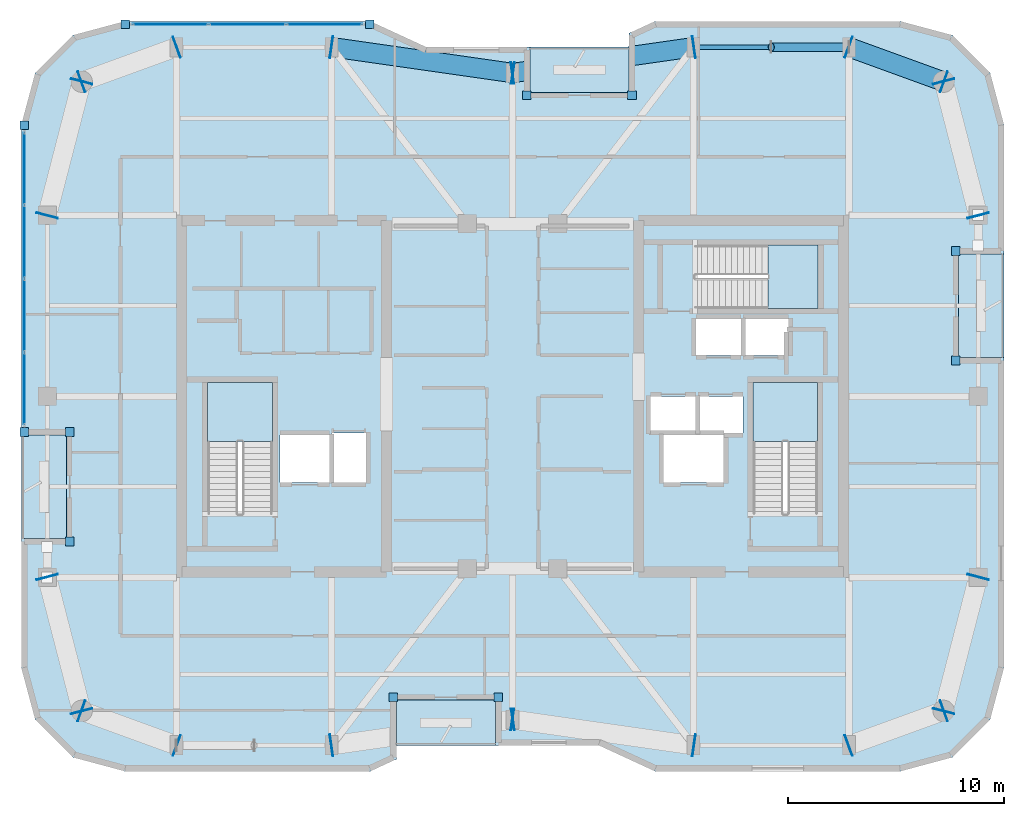
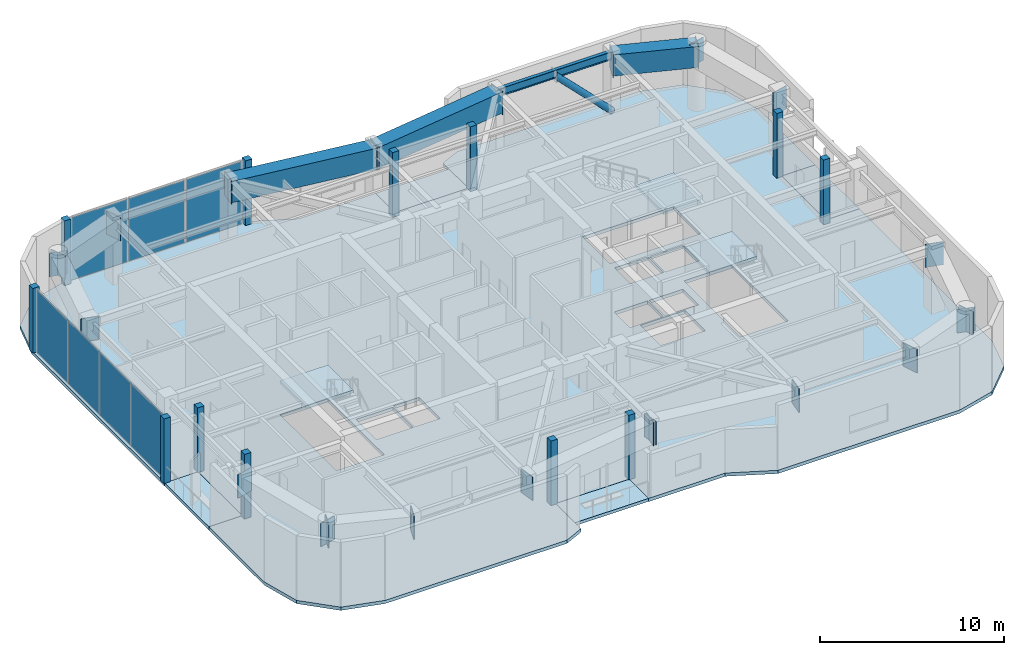
# One storey, part 7 of 15: 43 plates, 8 slabs, 4 beams, 1 member, 5 elements without a shape of their own.
"""IFC4 building model written with IfcOpenShell, lengths in metres."""

from ifc_helpers import new_model, si_unit, direction, frame, origin, origin_2d, place, context, subcontext, project, spatial, polyline, rectangle, hollow_rectangle, hollow_circle, i_section, outline, extrude, material, layer, layer_set, material_profile, profile_set, type_object, element, aggregate, save


model = new_model("IFC4")

# Units and contexts
model_context = context("Model", 3, precision=1e-05, world=origin(), true_north=direction((0.0, 1.0)))
body_context = subcontext(model_context, "Body", "Model", "MODEL_VIEW")
ifc_project = project(units=[si_unit("LENGTHUNIT", "METRE"), si_unit("AREAUNIT", "SQUARE_METRE"), si_unit("VOLUMEUNIT", "CUBIC_METRE"), si_unit("PLANEANGLEUNIT", "RADIAN"), si_unit("MASSUNIT", "GRAM", prefix="KILO")], contexts=[model_context])

# Site, building, storey
site_placement = place(None, origin())
site = spatial("IfcSite", under=ifc_project, at=site_placement, CompositionType="ELEMENT")
building_placement = place(site_placement, origin())
building = spatial("IfcBuilding", under=site, at=building_placement, Name="Kiyonajd Concourse Tower", CompositionType="ELEMENT")
storey_placement = place(building_placement, frame((0.0, 0.0, 342.0)))
storey = spatial("IfcBuildingStorey", under=building, at=storey_placement, Name="L86", CompositionType="ELEMENT", Elevation=342.0)

# Beams
ifc_material_1 = material(Name="Steel ASTM A992 Grade 50", Category="steel")
ifc_material_profile_1 = material_profile(ifc_material_1, i_section(OverallWidth=0.2109375, OverallDepth=0.5390625, WebThickness=0.01171875, FlangeThickness=0.018798828125, at=origin_2d()), Name="W530X109")
ifc_profile_set_1 = profile_set([ifc_material_profile_1], Name="Steel ASTM A992 Grade 50")
beam_type_1 = type_object("IfcBeamType", Name="BM-SPAN-530B", PredefinedType="SPANDREL", material=ifc_profile_set_1)
beam_1_placement = place(storey_placement, frame((63.60009765625, 52.199951171875, 4.010498046875), z_axis=(-1.0, 0.0, 0.0), x_axis=(0.0, -1.0, 0.0)))
element("IfcBeam", 1, at=beam_1_placement, inside=storey, type_object=beam_type_1, Name="L86 Perimeter Bundled Tube Spandrel", PredefinedType="SPANDREL", context=body_context, shape_type="SweptSolid", body=[
    extrude(i_section(OverallWidth=0.2109375, OverallDepth=0.5390625, WebThickness=0.01171875, FlangeThickness=0.018798828125, at=origin_2d()), origin(), (0.0, 0.0, 1.0), 7.2001953125),
])
ifc_material_2 = material(Name="Steel ASTM A572 Grade 50", Category="steel")
ifc_material_profile_2 = material_profile(ifc_material_2, hollow_rectangle(XDim=0.89990234375, YDim=1.39990234375, WallThickness=0.070068359375, at=origin_2d()), Name="BOX-1400x900x70")
ifc_profile_set_2 = profile_set([ifc_material_profile_2], Name="Steel ASTM A572 Grade 50")
beam_type_2 = type_object("IfcBeamType", Name="BM-XFER-1400", PredefinedType="BEAM", material=ifc_profile_set_2)
beam_2_placement = place(storey_placement, frame((68.0, 50.60009765625, 3.580078125), z_axis=(-0.939801036019, 0.341722127901, 0.0), x_axis=(-0.341722127901, -0.939801036019, 0.0)))
element("IfcBeam", 2, at=beam_2_placement, inside=storey, type_object=beam_type_2, Name="L86 Perimeter Bundled Tube Spandrel", PredefinedType="BEAM", context=body_context, shape_type="SweptSolid", body=[
    extrude(hollow_rectangle(XDim=0.89990234375, YDim=1.39990234375, WallThickness=0.070068359375, at=origin_2d()), origin(), (0.0, 0.0, 1.0), 4.681640625),
])
for number, where, z_axis, x_axis, name in (
    (3, (56.39990234375, 52.199951171875, 3.580078125), (-0.989950069105, -0.141417328072, 0.0), (0.141417328072, -0.989950069105, 0.0), "L86 Perimeter Bundled Tube Spandrel"),
    (4, (48.0, 51.0, 3.580078125), (-0.989950069105, 0.141417328072, 0.0), (-0.141417328072, -0.989950069105, 0.0), "L86 Perimeter Bundled Tube Spandrel"),
):
    element("IfcBeam", number, at=place(storey_placement, frame(where, z_axis=z_axis, x_axis=x_axis)), inside=storey, type_object=beam_type_2, Name=name, PredefinedType="BEAM", context=body_context, shape_type="SweptSolid", body=[
        extrude(hollow_rectangle(XDim=0.89990234375, YDim=1.39990234375, WallThickness=0.070068359375, at=origin_2d()), origin(), (0.0, 0.0, 1.0), 8.485107421875),
    ])

# Member
ifc_material_3 = material(Name="Steel ASTM A500 Grade C", Category="steel")
ifc_material_profile_3 = material_profile(ifc_material_3, hollow_circle(Radius=0.202880859375, WallThickness=0.01904296875, at=origin_2d()), Name="CHS-406x19")
ifc_profile_set_3 = profile_set([ifc_material_profile_3], Name="Steel ASTM A500 Grade C")
member_type = type_object("IfcMemberType", Name="MB-PB-HIGH", PredefinedType="BRACE", material=ifc_profile_set_3)
member_placement = place(storey_placement, frame((63.60009765625, 52.199951171875, 0.300048828125), z_axis=(-0.704187756773, 0.0, 0.710013804944), x_axis=(0.0, -1.0, 0.0)))
element("IfcMember", 5, at=member_placement, inside=storey, type_object=member_type, Name="L86 Upper Zone Hollow Tube Brace PBN", PredefinedType="BRACE", context=body_context, shape_type="SweptSolid", body=[
    extrude(hollow_circle(Radius=0.202880859375, WallThickness=0.01904296875, at=origin_2d()), origin(), (0.0, 0.0, 1.0), 5.1123046875),
])

# Plates
ifc_layer_1 = layer(ifc_material_2, 0.031982421875)
ifc_layer_set_1 = layer_set([ifc_layer_1], Name="Steel ASTM A572 Grade 50")
plate_type_1 = type_object("IfcPlateType", Name="PL-CAP-540", PredefinedType="USERDEFINED", material=ifc_layer_set_1)
for number, where, z_axis, x_axis, name in (
    (6, (26.397216796875, 27.610595703125, 2.81005859375), (0.0, 0.0, 1.0), (-0.249873048837, 0.968278606324, 0.0), "L86 Welded Box Girder End Cap"),
    (7, (28.002685546875, 21.389404296875, 2.81005859375), (0.0, 0.0, 1.0), (0.249873048837, -0.968278606324, 0.0), "L86 Welded Box Girder End Cap"),
    (8, (27.98974609375, 21.40380859375, 2.81005859375), (0.0, 0.0, 1.0), (-0.939811951086, 0.341692107891, 0.0), "L86 Welded Box Girder End Cap"),
    (9, (32.410400390625, 19.796142578125, 2.81005859375), (0.0, 0.0, 1.0), (0.939811951086, -0.341692107891, 0.0), "L86 Welded Box Girder End Cap"),
    (10, (39.589111328125, 19.79833984375, 2.81005859375), (0.0, 0.0, 1.0), (-0.989949746297, -0.141419587774, 0.0), "L86 Welded Box Girder End Cap"),
    (11, (48.010986328125, 21.001708984375, 2.81005859375), (0.0, 0.0, 1.0), (0.989949746297, 0.141419587774, 0.0), "L86 Welded Box Girder End Cap"),
    (12, (47.989013671875, 21.001708984375, 2.81005859375), (0.0, 0.0, 1.0), (-0.989949746297, 0.141419587774, 0.0), "L86 Welded Box Girder End Cap"),
    (13, (56.410888671875, 19.79833984375, 2.81005859375), (0.0, 0.0, 1.0), (0.989949746297, -0.141419587774, 0.0), "L86 Welded Box Girder End Cap"),
    (14, (63.589599609375, 19.796142578125, 2.81005859375), (0.0, 0.0, 1.0), (-0.939811951086, -0.341692107891, 0.0), "L86 Welded Box Girder End Cap"),
    (15, (68.01025390625, 21.40380859375, 2.81005859375), (0.0, 0.0, 1.0), (0.939811951086, 0.341692107891, 0.0), "L86 Welded Box Girder End Cap"),
    (16, (67.997314453125, 21.389404296875, 2.81005859375), (0.0, 0.0, 1.0), (-0.249873048837, -0.968278606324, 0.0), "L86 Welded Box Girder End Cap"),
    (17, (69.602783203125, 27.610595703125, 2.81005859375), (0.0, 0.0, 1.0), (0.249873048837, 0.968278606324, 0.0), "L86 Welded Box Girder End Cap"),
    (18, (69.602783203125, 44.389404296875, 2.81005859375), (0.0, 0.0, 1.0), (0.249873048837, -0.968278606324, 0.0), "L86 Welded Box Girder End Cap"),
    (19, (67.997314453125, 50.610595703125, 2.81005859375), (0.0, 0.0, 1.0), (-0.249873048837, 0.968278606324, 0.0), "L86 Welded Box Girder End Cap"),
    (20, (68.01025390625, 50.59619140625, 2.81005859375), (0.0, 0.0, 1.0), (0.939811951086, -0.341692107891, 0.0), "L86 Welded Box Girder End Cap"),
    (21, (63.589599609375, 52.203857421875, 2.81005859375), (0.0, 0.0, 1.0), (-0.939811951086, 0.341692107891, 0.0), "L86 Welded Box Girder End Cap"),
    (22, (56.410888671875, 52.20166015625, 2.81005859375), (0.0, 0.0, 1.0), (0.989949746297, 0.141419587774, 0.0), "L86 Welded Box Girder End Cap"),
    (23, (47.989013671875, 50.998291015625, 2.81005859375), (0.0, 0.0, 1.0), (-0.989949746297, -0.141419587774, 0.0), "L86 Welded Box Girder End Cap"),
    (24, (48.010986328125, 50.998291015625, 2.81005859375), (0.0, 0.0, 1.0), (0.989949746297, -0.141419587774, 0.0), "L86 Welded Box Girder End Cap"),
    (25, (39.589111328125, 52.20166015625, 2.81005859375), (0.0, 0.0, 1.0), (-0.989949746297, 0.141419587774, 0.0), "L86 Welded Box Girder End Cap"),
    (26, (32.410400390625, 52.203857421875, 2.81005859375), (0.0, 0.0, 1.0), (0.939811951086, 0.341692107891, 0.0), "L86 Welded Box Girder End Cap"),
    (27, (27.98974609375, 50.59619140625, 2.81005859375), (0.0, 0.0, 1.0), (-0.939811951086, -0.341692107891, 0.0), "L86 Welded Box Girder End Cap"),
    (28, (28.002685546875, 50.610595703125, 2.81005859375), (0.0, 0.0, 1.0), (0.249873048837, 0.968278606324, 0.0), "L86 Welded Box Girder End Cap"),
    (29, (26.397216796875, 44.389404296875, 2.81005859375), (0.0, 0.0, 1.0), (-0.249873048837, -0.968278606324, 0.0), "L86 Welded Box Girder End Cap"),
):
    element("IfcPlate", number, at=place(storey_placement, frame(where, z_axis=z_axis, x_axis=x_axis)), inside=storey, type_object=plate_type_1, Name=name, ObjectType="CAP PLATE", PredefinedType="USERDEFINED", context=body_context, shape_type="SweptSolid", body=[
        extrude(rectangle(XDim=0.035888671875, YDim=1.02001953125, at=origin_2d()), origin(), (0.0, 0.0, 1.0), 1.5400390625),
    ])

# Curtain wall, plates
ifc_material_4 = material(Name="Thermally Broken Anodised Aluminium", Category="aluminium")
ifc_layer_2 = layer(ifc_material_4, 0.179931640625)
ifc_layer_set_2 = layer_set([ifc_layer_2], Name="Thermally Broken Anodised Aluminium")
curtain_wall_type = type_object("IfcCurtainWallType", Name="CW-SYS-04", PredefinedType="NOTDEFINED", material=ifc_layer_set_2)
curtain_wall_1_placement = place(storey_placement, origin())
curtain_wall_1 = element("IfcCurtainWall", 30, at=curtain_wall_1_placement, inside=storey, type_object=curtain_wall_type, Name="L86 Unitised Curtain Wall CW4", PredefinedType="NOTDEFINED")
ifc_material_5 = material(Name="Double Low-E Insulated Glass", Category="glass")
ifc_layer_3 = layer(ifc_material_5, 0.033935546875)
ifc_layer_set_3 = layer_set([ifc_layer_3], Name="Double Low-E Insulated Glass")
plate_type_2 = type_object("IfcPlateType", Name="PL-CW-VIS34", PredefinedType="CURTAIN_PANEL", material=ifc_layer_set_3)
plate_1_placement = place(storey_placement, frame((25.340087890625, 36.35400390625, 0.06494140625), z_axis=(0.0, 0.0, 1.0), x_axis=(0.0, 1.0, 0.0)))
plate_1 = element("IfcPlate", 31, at=plate_1_placement, type_object=plate_type_2, Name="CW4 panel 1.1", PredefinedType="CURTAIN_PANEL", context=body_context, shape_type="SweptSolid", body=[
    extrude(rectangle(XDim=3.31787109375, YDim=0.033935546875, at=origin_2d()), origin(), (0.0, 0.0, 1.0), 4.14990234375),
])
plate_2_placement = place(storey_placement, frame((25.340087890625, 39.753173828125, 0.06494140625), z_axis=(0.0, 0.0, 1.0), x_axis=(0.0, 1.0, 0.0)))
plate_2 = element("IfcPlate", 32, at=plate_2_placement, type_object=plate_type_2, Name="CW4 panel 2.1", PredefinedType="CURTAIN_PANEL", context=body_context, shape_type="SweptSolid", body=[
    extrude(rectangle(XDim=3.350341796875, YDim=0.033935546875, at=origin_2d()), origin(), (0.0, 0.0, 1.0), 4.14990234375),
])
plate_3_placement = place(storey_placement, frame((25.340087890625, 43.16845703125, 0.06494140625), z_axis=(0.0, 0.0, 1.0), x_axis=(0.0, 1.0, 0.0)))
plate_3 = element("IfcPlate", 33, at=plate_3_placement, type_object=plate_type_2, Name="CW4 panel 3.1", PredefinedType="CURTAIN_PANEL", context=body_context, shape_type="SweptSolid", body=[
    extrude(rectangle(XDim=3.350341796875, YDim=0.033935546875, at=origin_2d()), origin(), (0.0, 0.0, 1.0), 4.14990234375),
])
plate_4_placement = place(storey_placement, frame((25.340087890625, 46.567626953125, 0.06494140625), z_axis=(0.0, 0.0, 1.0), x_axis=(0.0, 1.0, 0.0)))
plate_4 = element("IfcPlate", 34, at=plate_4_placement, type_object=plate_type_2, Name="CW4 panel 4.1", PredefinedType="CURTAIN_PANEL", context=body_context, shape_type="SweptSolid", body=[
    extrude(rectangle(XDim=3.31787109375, YDim=0.033935546875, at=origin_2d()), origin(), (0.0, 0.0, 1.0), 4.14990234375),
])
aggregate(curtain_wall_1, [plate_1, plate_2, plate_3, plate_4])

curtain_wall_2_placement = place(storey_placement, origin())
curtain_wall_2 = element("IfcCurtainWall", 35, at=curtain_wall_2_placement, inside=storey, type_object=curtain_wall_type, Name="L86 Unitised Curtain Wall CW4", PredefinedType="NOTDEFINED")
plate_5_placement = place(storey_placement, frame((32.119873046875, 53.260009765625, 0.06494140625), z_axis=(0.0, 0.0, 1.0), x_axis=(1.0, 0.0, 0.0)))
plate_5 = element("IfcPlate", 36, at=plate_5_placement, type_object=plate_type_2, Name="CW4 panel 1.1", PredefinedType="CURTAIN_PANEL", context=body_context, shape_type="SweptSolid", body=[
    extrude(rectangle(XDim=3.492919921875, YDim=0.033935546875, at=origin_2d()), origin(), (0.0, 0.0, 1.0), 4.14990234375),
])
plate_6_placement = place(storey_placement, frame((35.69384765625, 53.260009765625, 0.06494140625), z_axis=(0.0, 0.0, 1.0), x_axis=(1.0, 0.0, 0.0)))
plate_6 = element("IfcPlate", 37, at=plate_6_placement, type_object=plate_type_2, Name="CW4 panel 2.1", PredefinedType="CURTAIN_PANEL", context=body_context, shape_type="SweptSolid", body=[
    extrude(rectangle(XDim=3.525390625, YDim=0.033935546875, at=origin_2d()), origin(), (0.0, 0.0, 1.0), 4.14990234375),
])
plate_7_placement = place(storey_placement, frame((39.267822265625, 53.260009765625, 0.06494140625), z_axis=(0.0, 0.0, 1.0), x_axis=(1.0, 0.0, 0.0)))
plate_7 = element("IfcPlate", 38, at=plate_7_placement, type_object=plate_type_2, Name="CW4 panel 3.1", PredefinedType="CURTAIN_PANEL", context=body_context, shape_type="SweptSolid", body=[
    extrude(rectangle(XDim=3.492919921875, YDim=0.033935546875, at=origin_2d()), origin(), (0.0, 0.0, 1.0), 4.14990234375),
])
aggregate(curtain_wall_2, [plate_5, plate_6, plate_7])

# Plates
ifc_layer_4 = layer(ifc_material_4, 0.39990234375)
ifc_layer_set_4 = layer_set([ifc_layer_4], Name="Thermally Broken Anodised Aluminium")
plate_type_3 = type_object("IfcPlateType", Name="PL-JMB-400", PredefinedType="USERDEFINED", material=ifc_layer_set_4)
for number, where, z_axis, x_axis, name in (
    (39, (27.43994140625, 29.260009765625, 0.0), (0.0, 0.0, 1.0), (1.0, 0.0, 0.0), "L86 Facade Jamb Closure Plate 01"),
    (40, (27.43994140625, 34.340087890625, 0.0), (0.0, 0.0, 1.0), (1.0, 0.0, 0.0), "L86 Facade Jamb Closure Plate 02"),
    (41, (25.340087890625, 34.340087890625, 0.0), (0.0, 0.0, 1.0), (1.0, 0.0, 0.0), "L86 Facade Jamb Closure Plate 03"),
    (42, (25.340087890625, 48.58154296875, 0.0), (0.0, 0.0, 1.0), (1.0, 0.0, 0.0), "L86 Facade Jamb Closure Plate 04"),
    (43, (30.018310546875, 53.260009765625, 0.0), (0.0, 0.0, 1.0), (1.0, 0.0, 0.0), "L86 Facade Jamb Closure Plate 05"),
    (44, (41.369384765625, 53.260009765625, 0.0), (0.0, 0.0, 1.0), (1.0, 0.0, 0.0), "L86 Facade Jamb Closure Plate 06"),
    (45, (48.659912109375, 49.9599609375, 0.0), (0.0, 0.0, 1.0), (1.0, 0.0, 0.0), "L86 Facade Jamb Closure Plate 07"),
    (46, (53.5400390625, 49.9599609375, 0.0), (0.0, 0.0, 1.0), (1.0, 0.0, 0.0), "L86 Facade Jamb Closure Plate 08"),
    (47, (68.56005859375, 42.739990234375, 0.0), (0.0, 0.0, 1.0), (1.0, 0.0, 0.0), "L86 Facade Jamb Closure Plate 09"),
    (48, (68.56005859375, 37.659912109375, 0.0), (0.0, 0.0, 1.0), (1.0, 0.0, 0.0), "L86 Facade Jamb Closure Plate 10"),
    (49, (47.340087890625, 22.0400390625, 0.0), (0.0, 0.0, 1.0), (1.0, 0.0, 0.0), "L86 Facade Jamb Closure Plate 11"),
    (50, (42.4599609375, 22.0400390625, 0.0), (0.0, 0.0, 1.0), (1.0, 0.0, 0.0), "L86 Facade Jamb Closure Plate 12"),
):
    element("IfcPlate", number, at=place(storey_placement, frame(where, z_axis=z_axis, x_axis=x_axis)), inside=storey, type_object=plate_type_3, Name=name, ObjectType="JAMB PLATE", PredefinedType="USERDEFINED", context=body_context, shape_type="SweptSolid", body=[
        extrude(rectangle(XDim=0.39990234375, YDim=0.39990234375, at=origin_2d()), origin(), (0.0, 0.0, 1.0), 4.280029296875),
    ])

# Stair, slab
ifc_material_6 = material(Name="Concrete C40/50", Category="concrete")
stair_type = type_object("IfcStairType", Name="ST-DLG-26R", PredefinedType="HALF_TURN_STAIR", material=ifc_material_6)
stair_1_placement = place(storey_placement, origin())
stair_1 = element("IfcStair", 51, at=stair_1_placement, inside=storey, type_object=stair_type, Name="L86 Protected Exit Stair ST1", PredefinedType="HALF_TURN_STAIR")
ifc_layer_5 = layer(ifc_material_6, 0.199951171875)
ifc_layer_set_5 = layer_set([ifc_layer_5], Name="Concrete C40/50")
slab_type_1 = type_object("IfcSlabType", Name="SL-LND-200", PredefinedType="LANDING", material=ifc_layer_set_5)
slab_1_placement = place(storey_placement, frame((0.0, 0.0, 2.050048828125)))
slab_1 = element("IfcSlab", 52, at=slab_1_placement, type_object=slab_type_1, Name="ST1 landing 1", PredefinedType="LANDING", context=body_context, shape_type="SweptSolid", body=[
    extrude(outline(polyline([(36.85009765625, 33.909912109375), (36.85009765625, 36.64990234375), (33.85009765625, 36.64990234375), (33.85009765625, 33.909912109375), (36.85009765625, 33.909912109375)])), origin(), (0.0, 0.0, 1.0), 0.199951171875),
])
aggregate(stair_1, [slab_1])

stair_2_placement = place(storey_placement, origin())
stair_2 = element("IfcStair", 53, at=stair_2_placement, inside=storey, type_object=stair_type, Name="L86 Protected Exit Stair ST2", PredefinedType="HALF_TURN_STAIR")
slab_2_placement = place(storey_placement, frame((0.0, 0.0, 2.050048828125)))
slab_2 = element("IfcSlab", 54, at=slab_2_placement, type_object=slab_type_1, Name="ST2 landing 1", PredefinedType="LANDING", context=body_context, shape_type="SweptSolid", body=[
    extrude(outline(polyline([(62.14990234375, 33.909912109375), (62.14990234375, 36.64990234375), (59.14990234375, 36.64990234375), (59.14990234375, 33.909912109375), (62.14990234375, 33.909912109375)])), origin(), (0.0, 0.0, 1.0), 0.199951171875),
])
aggregate(stair_2, [slab_2])

stair_3_placement = place(storey_placement, origin())
stair_3 = element("IfcStair", 55, at=stair_3_placement, inside=storey, type_object=stair_type, Name="L86 Protected Exit Stair ST3", PredefinedType="HALF_TURN_STAIR")
slab_3_placement = place(storey_placement, frame((0.0, 0.0, 2.050048828125)))
slab_3 = element("IfcSlab", 56, at=slab_3_placement, type_object=slab_type_1, Name="ST3 landing 1", PredefinedType="LANDING", context=body_context, shape_type="SweptSolid", body=[
    extrude(outline(polyline([(59.840087890625, 40.080078125), (62.179931640625, 40.080078125), (62.179931640625, 43.02001953125), (59.840087890625, 43.02001953125), (59.840087890625, 40.080078125)])), origin(), (0.0, 0.0, 1.0), 0.199951171875),
])
aggregate(stair_3, [slab_3])

# Slabs
ifc_material_7 = material(Name="Precast concrete C50/60", Category="concrete")
ifc_layer_6 = layer(ifc_material_7, 0.199951171875)
ifc_layer_set_6 = layer_set([ifc_layer_6], Name="Precast concrete C50/60")
slab_type_2 = type_object("IfcSlabType", Name="SL-LOG-200", PredefinedType="FLOOR", material=ifc_layer_set_6)
slab_4_placement = place(storey_placement, frame((0.0, 0.0, -0.199951171875)))
element("IfcSlab", 57, at=slab_4_placement, inside=storey, type_object=slab_type_2, Name="L86 Recessed Engawa Loggia Terrace Slab LOG-S", PredefinedType="FLOOR", context=body_context, shape_type="SweptSolid", body=[
    extrude(outline(polyline([(42.60009765625, 19.800048828125), (47.199951171875, 19.800048828125), (47.199951171875, 21.89990234375), (42.60009765625, 21.89990234375), (42.60009765625, 19.800048828125)])), origin(), (0.0, 0.0, 1.0), 0.199951171875),
])
slab_5_placement = place(storey_placement, frame((0.0, 0.0, -0.199951171875)))
element("IfcSlab", 58, at=slab_5_placement, inside=storey, type_object=slab_type_2, Name="L86 Recessed Engawa Loggia Terrace Slab LOG-N", PredefinedType="FLOOR", context=body_context, shape_type="SweptSolid", body=[
    extrude(outline(polyline([(48.800048828125, 50.10009765625), (53.39990234375, 50.10009765625), (53.39990234375, 52.199951171875), (48.800048828125, 52.199951171875), (48.800048828125, 50.10009765625)])), origin(), (0.0, 0.0, 1.0), 0.199951171875),
])
slab_6_placement = place(storey_placement, frame((0.0, 0.0, -0.199951171875)))
element("IfcSlab", 59, at=slab_6_placement, inside=storey, type_object=slab_type_2, Name="L86 Recessed Engawa Loggia Terrace Slab LOG-W", PredefinedType="FLOOR", context=body_context, shape_type="SweptSolid", body=[
    extrude(outline(polyline([(25.199951171875, 29.39990234375), (27.300048828125, 29.39990234375), (27.300048828125, 34.199951171875), (25.199951171875, 34.199951171875), (25.199951171875, 29.39990234375)])), origin(), (0.0, 0.0, 1.0), 0.199951171875),
])
slab_7_placement = place(storey_placement, frame((0.0, 0.0, -0.199951171875)))
element("IfcSlab", 60, at=slab_7_placement, inside=storey, type_object=slab_type_2, Name="L86 Recessed Engawa Loggia Terrace Slab LOG-E", PredefinedType="FLOOR", context=body_context, shape_type="SweptSolid", body=[
    extrude(outline(polyline([(68.699951171875, 37.800048828125), (70.800048828125, 37.800048828125), (70.800048828125, 42.60009765625), (68.699951171875, 42.60009765625), (68.699951171875, 37.800048828125)])), origin(), (0.0, 0.0, 1.0), 0.199951171875),
])
ifc_layer_7 = layer(ifc_material_6, 0.219970703125)
ifc_layer_set_7 = layer_set([ifc_layer_7], Name="Concrete C40/50")
slab_type_3 = type_object("IfcSlabType", Name="SL-TWR-220", PredefinedType="FLOOR", material=ifc_layer_set_7)
slab_8_placement = place(storey_placement, frame((0.0, 0.0, -0.219970703125)))
element("IfcSlab", 61, at=slab_8_placement, inside=storey, type_object=slab_type_3, Name="L86 Tower Conditioned Floor Slab", PredefinedType="FLOOR", context=body_context, shape_type="SweptSolid", body=[
    extrude(outline(polyline([(25.843017578125, 21.0), (25.199951171875, 23.39990234375), (25.199951171875, 29.39990234375), (27.300048828125, 29.39990234375), (27.300048828125, 34.199951171875), (25.199951171875, 34.199951171875), (25.199951171875, 48.60009765625), (25.843017578125, 51.0), (27.60009765625, 52.757080078125), (30.0, 53.39990234375), (41.39990234375, 53.39990234375), (44.0, 52.199951171875), (48.800048828125, 52.199951171875), (48.800048828125, 50.10009765625), (53.39990234375, 50.10009765625), (53.39990234375, 52.845947265625), (54.60009765625, 53.39990234375), (66.0, 53.39990234375), (68.39990234375, 52.757080078125), (70.156982421875, 51.0), (70.800048828125, 48.60009765625), (70.800048828125, 42.60009765625), (68.699951171875, 42.60009765625), (68.699951171875, 37.800048828125), (70.800048828125, 37.800048828125), (70.800048828125, 23.39990234375), (70.156982421875, 21.0), (68.39990234375, 19.242919921875), (66.0, 18.60009765625), (54.60009765625, 18.60009765625), (52.0, 19.800048828125), (47.199951171875, 19.800048828125), (47.199951171875, 21.89990234375), (42.60009765625, 21.89990234375), (42.60009765625, 19.154052734375), (41.39990234375, 18.60009765625), (30.0, 18.60009765625), (27.60009765625, 19.242919921875), (25.843017578125, 21.0)]), holes=[polyline([(39.5, 32.0), (37.199951171875, 32.0), (37.199951171875, 34.199951171875), (39.5, 34.199951171875), (39.5, 32.0)]), polyline([(57.800048828125, 32.0), (55.0, 32.0), (55.0, 34.199951171875), (57.800048828125, 34.199951171875), (57.800048828125, 32.0)]), polyline([(41.199951171875, 32.0), (39.60009765625, 32.0), (39.60009765625, 34.300048828125), (41.199951171875, 34.300048828125), (41.199951171875, 32.0)]), polyline([(33.85009765625, 30.550048828125), (33.85009765625, 36.64990234375), (36.85009765625, 36.64990234375), (36.85009765625, 30.550048828125), (33.85009765625, 30.550048828125)]), polyline([(59.14990234375, 30.550048828125), (59.14990234375, 36.64990234375), (62.14990234375, 36.64990234375), (62.14990234375, 30.550048828125), (59.14990234375, 30.550048828125)]), polyline([(56.5, 34.300048828125), (54.39990234375, 34.300048828125), (54.39990234375, 36.0), (56.5, 36.0), (56.5, 34.300048828125)]), polyline([(58.699951171875, 34.300048828125), (56.60009765625, 34.300048828125), (56.60009765625, 36.0), (58.699951171875, 36.0), (58.699951171875, 34.300048828125)]), polyline([(58.60009765625, 37.89990234375), (56.5, 37.89990234375), (56.5, 39.60009765625), (58.60009765625, 39.60009765625), (58.60009765625, 37.89990234375)]), polyline([(58.699951171875, 37.89990234375), (58.699951171875, 39.60009765625), (60.800048828125, 39.60009765625), (60.800048828125, 37.89990234375), (58.699951171875, 37.89990234375)]), polyline([(56.47998046875, 43.02001953125), (62.179931640625, 43.02001953125), (62.179931640625, 40.080078125), (56.47998046875, 40.080078125), (56.47998046875, 43.02001953125)])]), origin(), (0.0, 0.0, 1.0), 0.219970703125),
])

save(model, "model.ifc")
